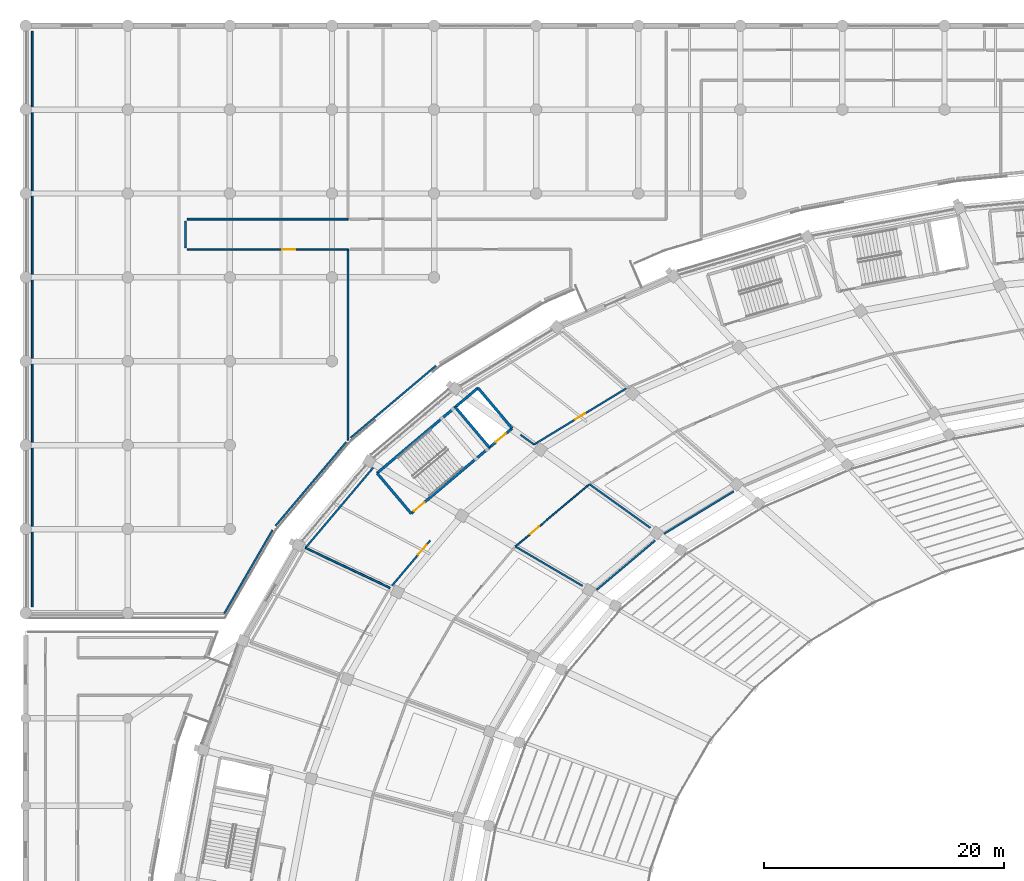
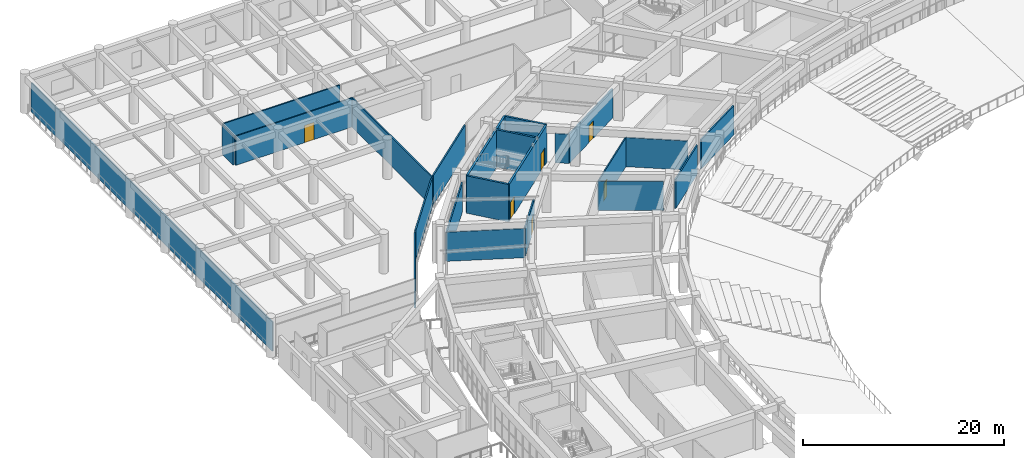
# One storey, part 109 of 152: 23 walls, 6 doors, 6 openings.
"""IFC4 building model written with IfcOpenShell, lengths in metres."""

from ifc_helpers import new_model, si_unit, direction, frame, frame_2d, origin, place, context, subcontext, project, spatial, rectangle, extrude, material, layer, layer_set, type_object, element, fill, save


model = new_model("IFC4")

# Units and contexts
model_context = context("Model", 3, precision=1e-05, world=origin(), true_north=direction((0.0, 1.0)))
body_context = subcontext(model_context, "Body", "Model", "MODEL_VIEW")
ifc_project = project(units=[si_unit("LENGTHUNIT", "METRE"), si_unit("AREAUNIT", "SQUARE_METRE"), si_unit("VOLUMEUNIT", "CUBIC_METRE"), si_unit("PLANEANGLEUNIT", "RADIAN"), si_unit("MASSUNIT", "GRAM", prefix="KILO")], contexts=[model_context])

# Site, building, storey
site_placement = place(None, origin())
site = spatial("IfcSite", under=ifc_project, at=site_placement, CompositionType="ELEMENT")
building_placement = place(site_placement, origin())
building = spatial("IfcBuilding", under=site, at=building_placement, Name="Mphavela Belvedere Stadium", CompositionType="ELEMENT")
storey_placement = place(building_placement, frame((0.0, 0.0, 5.39990234375)))
storey = spatial("IfcBuildingStorey", under=building, at=storey_placement, Name="L01", CompositionType="ELEMENT", Elevation=5.39990234375)

# Walls
ifc_material_1 = material(Name="Concrete C40/50", Category="concrete")
ifc_layer_1 = layer(ifc_material_1, 0.219970703125)
ifc_layer_set_1 = layer_set([ifc_layer_1], Name="Concrete C40/50")
wall_type_1 = type_object("IfcWallType", Name="WAL-CORE-SHEAR-220", PredefinedType="SHEAR", material=ifc_layer_set_1)
wall_1_placement = place(storey_placement, frame((29.318603515625, 136.666015625, 0.0), z_axis=(0.0, 0.0, 1.0), x_axis=(0.764247804305, 0.644922703598, 0.0)))
element("IfcWall", 1, at=wall_1_placement, inside=storey, type_object=wall_type_1, Name="Core C05 shear wall L01 rear", PredefinedType="SHEAR", context=body_context, shape_type="SweptSolid", body=[
    extrude(rectangle(XDim=11.019775390625, YDim=0.219970703125, at=frame_2d((5.509765625, 0.0))), origin(), (0.0, 0.0, 1.0), 4.550048828125),
])
wall_2_placement = place(storey_placement, frame((32.16259765625, 133.295654296875, 0.0), z_axis=(0.0, 0.0, 1.0), x_axis=(-0.644904288042, 0.764263344185, 0.0)))
element("IfcWall", 2, at=wall_2_placement, inside=storey, type_object=wall_type_1, Name="Core C05 shear wall L01 left", PredefinedType="SHEAR", context=body_context, shape_type="SweptSolid", body=[
    extrude(rectangle(XDim=4.409912109375, YDim=0.219970703125, at=frame_2d((2.205078125, 0.0))), origin(), (0.0, 0.0, 1.0), 4.550048828125),
])
wall_3_placement = place(storey_placement, frame((40.584716796875, 140.402587890625, 0.0), z_axis=(0.0, 0.0, 1.0), x_axis=(-0.644936622785, 0.764236058159, 0.0)))
element("IfcWall", 3, at=wall_3_placement, inside=storey, type_object=wall_type_1, Name="Core C05 shear wall L01 right", PredefinedType="SHEAR", context=body_context, shape_type="SweptSolid", body=[
    extrude(rectangle(XDim=4.41015625, YDim=0.219970703125, at=frame_2d((2.205078125, 0.0))), origin(), (0.0, 0.0, 1.0), 4.550048828125),
])

# Wall, openings, doors
wall_4_placement = place(storey_placement, frame((32.16259765625, 133.295654296875, 0.0), z_axis=(0.0, 0.0, 1.0), x_axis=(0.764257018762, 0.644911784102, 0.0)))
wall_4 = element("IfcWall", 4, at=wall_4_placement, inside=storey, type_object=wall_type_1, Name="Core C05 shear wall L01 front", PredefinedType="SHEAR", context=body_context, shape_type="SweptSolid", body=[
    extrude(rectangle(XDim=11.02001953125, YDim=0.219970703125, at=frame_2d((5.510009765625, 0.0))), origin(), (0.0, 0.0, 1.0), 4.550048828125),
])
opening_1_placement = place(wall_4_placement, frame((0.300048828125, 0.0, 0.0)))
opening_1 = element("IfcOpeningElement", 5, at=opening_1_placement, cuts=wall_4, Name="Opening SD-022", PredefinedType="OPENING", context=body_context, shape_type="SweptSolid", body=[
    extrude(rectangle(XDim=1.14990234375, YDim=2.14990234375, at=frame_2d((0.574951171875, 1.074951171875))), frame((0.0, 0.1201171875, 0.0), z_axis=(0.0, -1.0, 0.0), x_axis=(1.0, 0.0, 0.0)), (0.0, 0.0, 1.0), 0.239990234375),
])
opening_2_placement = place(wall_4_placement, frame((9.22998046875, 0.0, 0.0)))
opening_2 = element("IfcOpeningElement", 6, at=opening_2_placement, cuts=wall_4, Name="Opening LD-022", PredefinedType="OPENING", context=body_context, shape_type="SweptSolid", body=[
    extrude(rectangle(XDim=1.10009765625, YDim=2.14990234375, at=frame_2d((0.550048828125, 1.074951171875))), frame((0.0, 0.1201171875, 0.0), z_axis=(0.0, -1.0, 0.0), x_axis=(1.0, 0.0, 0.0)), (0.0, 0.0, 1.0), 0.239990234375),
])
ifc_material_2 = material(Name="Stainless steel center-parting lift landing door", Category="steel")
door_type_1 = type_object("IfcDoorType", Name="DR-LIFT-SLIDE-1100", OperationType="NOTDEFINED", PredefinedType="DOOR", material=ifc_material_2)
door_1_placement = place(opening_2_placement, origin())
door_1 = element("IfcDoor", 7, at=door_1_placement, inside=storey, type_object=door_type_1, Name="Lift landing sliding door PL02 L01", OperationType="DOUBLE_DOOR_SLIDING", OverallHeight=2.14990234375, OverallWidth=1.10009765625, PredefinedType="DOOR", context=body_context, shape_type="SweptSolid", body=[
    extrude(rectangle(XDim=1.10009765625, YDim=2.14990234375, at=frame_2d((0.550048828125, 1.074951171875))), frame((0.0, 0.02490234375, 0.0), z_axis=(0.0, -1.0, 0.0), x_axis=(1.0, 0.0, 0.0)), (0.0, 0.0, 1.0), 0.050048828125),
])
fill(opening_2, door_1)
ifc_material_3 = material(Name="Steel acoustic fire-resisting stair doorset", Category="steel")
door_type_2 = type_object("IfcDoorType", Name="DR-STAIR-FIRE-1150", OperationType="NOTDEFINED", PredefinedType="DOOR", material=ifc_material_3)
door_2_placement = place(opening_1_placement, origin())
door_2 = element("IfcDoor", 8, at=door_2_placement, inside=storey, type_object=door_type_2, Name="Escape stair fire door C05 L01", OperationType="SINGLE_SWING_RIGHT", OverallHeight=2.14990234375, OverallWidth=1.14990234375, PredefinedType="DOOR", context=body_context, shape_type="SweptSolid", body=[
    extrude(rectangle(XDim=1.14990234375, YDim=2.14990234375, at=frame_2d((0.574951171875, 1.074951171875))), frame((0.0, 0.02490234375, 0.0), z_axis=(0.0, -1.0, 0.0), x_axis=(1.0, 0.0, 0.0)), (0.0, 0.0, 1.0), 0.050048828125),
])
fill(opening_1, door_2)

# Wall
wall_5_placement = place(storey_placement, frame((38.689208984375, 138.80322265625, 0.0), z_axis=(0.0, 0.0, 1.0), x_axis=(-0.644904288042, 0.764263344185, 0.0)))
element("IfcWall", 9, at=wall_5_placement, inside=storey, type_object=wall_type_1, Name="Core C05 shear wall L01 div", PredefinedType="SHEAR", context=body_context, shape_type="SweptSolid", body=[
    extrude(rectangle(XDim=4.409912109375, YDim=0.219970703125, at=frame_2d((2.205078125, 0.0))), origin(), (0.0, 0.0, 1.0), 4.550048828125),
])

# Wall, opening, door
ifc_material_4 = material(Name="Moisture-resistant sanitary partition assembly")
ifc_layer_2 = layer(ifc_material_4, 0.125)
ifc_layer_set_2 = layer_set([ifc_layer_2], Name="Moisture-resistant sanitary partition assembly")
wall_type_2 = type_object("IfcWallType", Name="WAL-PART-125", PredefinedType="PARTITIONING", material=ifc_layer_set_2)
wall_6_placement = place(storey_placement, frame((40.866943359375, 130.539306640625, 0.0), z_axis=(0.0, 0.0, 1.0), x_axis=(0.764249122867, 0.644921141068, 0.0)))
wall_6 = element("IfcWall", 10, at=wall_6_placement, inside=storey, type_object=wall_type_2, Name="Room L01-81 corridor partition", PredefinedType="PARTITIONING", context=body_context, shape_type="SweptSolid", body=[
    extrude(rectangle(XDim=7.989501953125, YDim=0.125, at=frame_2d((3.99462890625, 0.0))), origin(), (0.0, 0.0, 1.0), 3.550048828125),
])
opening_3_placement = place(wall_6_placement, frame((1.593994140625, 0.0, 0.0)))
opening_3 = element("IfcOpeningElement", 11, at=opening_3_placement, cuts=wall_6, Name="Opening ID-111", PredefinedType="OPENING", context=body_context, shape_type="SweptSolid", body=[
    extrude(rectangle(XDim=0.97998046875, YDim=2.10009765625, at=frame_2d((0.489990234375, 1.050048828125))), frame((0.0, 0.072509765625, 0.0), z_axis=(0.0, -1.0, 0.0), x_axis=(1.0, 0.0, 0.0)), (0.0, 0.0, 1.0), 0.14501953125),
])
ifc_material_5 = material(Name="Hardwood acoustic timber doorset", Category="wood")
door_type_3 = type_object("IfcDoorType", Name="DR-INT-03", OperationType="NOTDEFINED", PredefinedType="DOOR", material=ifc_material_5)
door_3_placement = place(opening_3_placement, origin())
door_3 = element("IfcDoor", 12, at=door_3_placement, inside=storey, type_object=door_type_3, Name="Room L01-81 entrance door ID-111", OperationType="SINGLE_SWING_LEFT", OverallHeight=2.10009765625, OverallWidth=0.97998046875, PredefinedType="DOOR", context=body_context, shape_type="SweptSolid", body=[
    extrude(rectangle(XDim=0.97998046875, YDim=2.10009765625, at=frame_2d((0.489990234375, 1.050048828125))), frame((0.0, 0.02490234375, 0.0), z_axis=(0.0, -1.0, 0.0), x_axis=(1.0, 0.0, 0.0)), (0.0, 0.0, 1.0), 0.050048828125),
])
fill(opening_3, door_3)

wall_7_placement = place(storey_placement, frame((13.46875, 155.343017578125, 0.0), z_axis=(0.0, 0.0, 1.0), x_axis=(0.99999997621, -0.00021812629, 0.0)))
wall_7 = element("IfcWall", 13, at=wall_7_placement, inside=storey, type_object=wall_type_2, Name="Room L01-174 corridor partition", PredefinedType="PARTITIONING", context=body_context, shape_type="SweptSolid", body=[
    extrude(rectangle(XDim=13.43115234375, YDim=0.125, at=frame_2d((6.715576171875, 0.0))), origin(), (0.0, 0.0, 1.0), 3.550048828125),
])
opening_4_placement = place(wall_7_placement, frame((7.919189453125, 0.0, 0.0)))
opening_4 = element("IfcOpeningElement", 14, at=opening_4_placement, cuts=wall_7, Name="Opening ID-438", PredefinedType="OPENING", context=body_context, shape_type="SweptSolid", body=[
    extrude(rectangle(XDim=1.10009765625, YDim=2.10009765625, at=frame_2d((0.550048828125, 1.050048828125))), frame((0.0, 0.072509765625, 0.0), z_axis=(0.0, -1.0, 0.0), x_axis=(1.0, 0.0, 0.0)), (0.0, 0.0, 1.0), 0.14501953125),
])
ifc_material_6 = material(Name="Hardwood acoustic timber doorset", Category="wood")
door_type_4 = type_object("IfcDoorType", Name="DR-INT-06", OperationType="NOTDEFINED", PredefinedType="DOOR", material=ifc_material_6)
door_4_placement = place(opening_4_placement, origin())
door_4 = element("IfcDoor", 15, at=door_4_placement, inside=storey, type_object=door_type_4, Name="Room L01-174 entrance door ID-438", OperationType="SINGLE_SWING_RIGHT", OverallHeight=2.10009765625, OverallWidth=1.10009765625, PredefinedType="DOOR", context=body_context, shape_type="SweptSolid", body=[
    extrude(rectangle(XDim=1.10009765625, YDim=2.10009765625, at=frame_2d((0.550048828125, 1.050048828125))), frame((0.0, 0.02490234375, 0.0), z_axis=(0.0, -1.0, 0.0), x_axis=(1.0, 0.0, 0.0)), (0.0, 0.0, 1.0), 0.050048828125),
])
fill(opening_4, door_4)

ifc_material_7 = material(Name="Acoustic gypsum stud partition assembly")
ifc_layer_3 = layer(ifc_material_7, 0.14990234375)
ifc_layer_set_3 = layer_set([ifc_layer_3], Name="Acoustic gypsum stud partition assembly")
wall_type_3 = type_object("IfcWallType", Name="WAL-PART-150", PredefinedType="PARTITIONING", material=ifc_layer_set_3)
wall_8_placement = place(storey_placement, frame((50.10546875, 143.731201171875, 0.0), z_axis=(0.0, 0.0, 1.0), x_axis=(-0.854321649351, -0.519744667554, 0.0)))
wall_8 = element("IfcWall", 16, at=wall_8_placement, inside=storey, type_object=wall_type_3, Name="Room L01-79 corridor partition", PredefinedType="PARTITIONING", context=body_context, shape_type="SweptSolid", body=[
    extrude(rectangle(XDim=8.99853515625, YDim=0.14990234375, at=frame_2d((4.499267578125, 0.0))), origin(), (0.0, 0.0, 1.0), 3.550048828125),
])
opening_5_placement = place(wall_8_placement, frame((4.029296875, 0.0, 0.0)))
opening_5 = element("IfcOpeningElement", 17, at=opening_5_placement, cuts=wall_8, Name="Opening ID-110", PredefinedType="OPENING", context=body_context, shape_type="SweptSolid", body=[
    extrude(rectangle(XDim=0.93994140625, YDim=2.10009765625, at=frame_2d((0.469970703125, 1.050048828125))), frame((0.0, 0.0849609375, 0.0), z_axis=(0.0, -1.0, 0.0), x_axis=(1.0, 0.0, 0.0)), (0.0, 0.0, 1.0), 0.169921875),
])
ifc_material_8 = material(Name="Hardwood acoustic timber doorset", Category="wood")
door_type_5 = type_object("IfcDoorType", Name="DR-INT-02", OperationType="NOTDEFINED", PredefinedType="DOOR", material=ifc_material_8)
door_5_placement = place(opening_5_placement, origin())
door_5 = element("IfcDoor", 18, at=door_5_placement, inside=storey, type_object=door_type_5, Name="Room L01-79 entrance door ID-110", OperationType="SINGLE_SWING_RIGHT", OverallHeight=2.10009765625, OverallWidth=0.93994140625, PredefinedType="DOOR", context=body_context, shape_type="SweptSolid", body=[
    extrude(rectangle(XDim=0.93994140625, YDim=2.10009765625, at=frame_2d((0.469970703125, 1.050048828125))), frame((0.0, 0.02490234375, 0.0), z_axis=(0.0, -1.0, 0.0), x_axis=(1.0, 0.0, 0.0)), (0.0, 0.0, 1.0), 0.050048828125),
])
fill(opening_5, door_5)

wall_9_placement = place(storey_placement, frame((33.747802734375, 131.044921875, 0.0), z_axis=(0.0, 0.0, 1.0), x_axis=(-0.645189146842, -0.764022882378, 0.0)))
wall_9 = element("IfcWall", 19, at=wall_9_placement, inside=storey, type_object=wall_type_3, Name="Room L01-84 corridor partition", PredefinedType="PARTITIONING", context=body_context, shape_type="SweptSolid", body=[
    extrude(rectangle(XDim=4.943115234375, YDim=0.14990234375, at=frame_2d((2.4716796875, 0.0))), origin(), (0.0, 0.0, 1.0), 3.550048828125),
])
opening_6_placement = place(wall_9_placement, frame((0.482177734375, 0.0, 0.0)))
opening_6 = element("IfcOpeningElement", 20, at=opening_6_placement, cuts=wall_9, Name="Opening ID-113", PredefinedType="OPENING", context=body_context, shape_type="SweptSolid", body=[
    extrude(rectangle(XDim=1.06005859375, YDim=2.10009765625, at=frame_2d((0.530029296875, 1.050048828125))), frame((0.0, 0.0849609375, 0.0), z_axis=(0.0, -1.0, 0.0), x_axis=(1.0, 0.0, 0.0)), (0.0, 0.0, 1.0), 0.169921875),
])
ifc_material_9 = material(Name="Hardwood acoustic timber doorset", Category="wood")
door_type_6 = type_object("IfcDoorType", Name="DR-INT-05", OperationType="NOTDEFINED", PredefinedType="DOOR", material=ifc_material_9)
door_6_placement = place(opening_6_placement, origin())
door_6 = element("IfcDoor", 21, at=door_6_placement, inside=storey, type_object=door_type_6, Name="Room L01-84 entrance door ID-113", OperationType="SINGLE_SWING_LEFT", OverallHeight=2.10009765625, OverallWidth=1.06005859375, PredefinedType="DOOR", context=body_context, shape_type="SweptSolid", body=[
    extrude(rectangle(XDim=1.06005859375, YDim=2.10009765625, at=frame_2d((0.530029296875, 1.050048828125))), frame((0.0, 0.02490234375, 0.0), z_axis=(0.0, -1.0, 0.0), x_axis=(1.0, 0.0, 0.0)), (0.0, 0.0, 1.0), 0.050048828125),
])
fill(opening_6, door_6)

# Walls
wall_10_placement = place(storey_placement, frame((52.126220703125, 132.097900390625, 0.0), z_axis=(0.0, 0.0, 1.0), x_axis=(-0.812877822405, 0.582434241646, 0.0)))
element("IfcWall", 22, at=wall_10_placement, inside=storey, type_object=wall_type_3, Name="Room divider partition L01-0191", PredefinedType="PARTITIONING", context=body_context, shape_type="SweptSolid", body=[
    extrude(rectangle(XDim=6.252685546875, YDim=0.14990234375, at=frame_2d((3.12646484375, 0.0))), origin(), (0.0, 0.0, 1.0), 3.550048828125),
])
wall_11_placement = place(storey_placement, frame((59.081787109375, 135.143310546875, 0.0), z_axis=(0.0, 0.0, 1.0), x_axis=(-0.854334410981, -0.519723690257, 0.0)))
element("IfcWall", 23, at=wall_11_placement, inside=storey, type_object=wall_type_3, Name="Room divider partition L01-0192", PredefinedType="PARTITIONING", context=body_context, shape_type="SweptSolid", body=[
    extrude(rectangle(XDim=6.800048828125, YDim=0.14990234375, at=frame_2d((3.39990234375, 0.0))), origin(), (0.0, 0.0, 1.0), 3.550048828125),
])
wall_12_placement = place(storey_placement, frame((42.417724609375, 139.05419921875, 0.0), z_axis=(0.0, 0.0, 1.0), x_axis=(-0.812925279681, 0.582368001916, 0.0)))
element("IfcWall", 24, at=wall_12_placement, inside=storey, type_object=wall_type_3, Name="Room divider partition L01-0194", PredefinedType="PARTITIONING", context=body_context, shape_type="SweptSolid", body=[
    extrude(rectangle(XDim=1.389404296875, YDim=0.14990234375, at=frame_2d((0.69482421875, 0.0))), origin(), (0.0, 0.0, 1.0), 3.550048828125),
])
wall_13_placement = place(storey_placement, frame((52.525390625, 131.0439453125, 0.0), z_axis=(0.0, 0.0, 1.0), x_axis=(-0.764237453484, -0.644934969351, 0.0)))
element("IfcWall", 25, at=wall_13_placement, inside=storey, type_object=wall_type_3, Name="Room divider partition L01-0195", PredefinedType="PARTITIONING", context=body_context, shape_type="SweptSolid", body=[
    extrude(rectangle(XDim=6.403076171875, YDim=0.14990234375, at=frame_2d((3.20166015625, 0.0))), origin(), (0.0, 0.0, 1.0), 3.550048828125),
])
wall_14_placement = place(storey_placement, frame((46.46826171875, 127.2529296875, 0.0), z_axis=(0.0, 0.0, 1.0), x_axis=(-0.862506747386, 0.506045561895, 0.0)))
element("IfcWall", 26, at=wall_14_placement, inside=storey, type_object=wall_type_3, Name="Room divider partition L01-0196", PredefinedType="PARTITIONING", context=body_context, shape_type="SweptSolid", body=[
    extrude(rectangle(XDim=6.494140625, YDim=0.14990234375, at=frame_2d((3.2470703125, 0.0))), origin(), (0.0, 0.0, 1.0), 3.550048828125),
])
wall_15_placement = place(storey_placement, frame((30.40478515625, 127.0859375, 0.0), z_axis=(0.0, 0.0, 1.0), x_axis=(-0.903857436248, 0.427833770218, 0.0)))
element("IfcWall", 27, at=wall_15_placement, inside=storey, type_object=wall_type_3, Name="Room divider partition L01-0199", PredefinedType="PARTITIONING", context=body_context, shape_type="SweptSolid", body=[
    extrude(rectangle(XDim=7.81201171875, YDim=0.14990234375, at=frame_2d((3.906005859375, 0.0))), origin(), (0.0, 0.0, 1.0), 3.550048828125),
])
wall_16_placement = place(storey_placement, frame((23.34375, 130.42822265625, 0.0), z_axis=(0.0, 0.0, 1.0), x_axis=(0.645169991826, 0.764039057671, 0.0)))
element("IfcWall", 28, at=wall_16_placement, inside=storey, type_object=wall_type_3, Name="Room divider partition L01-0200", PredefinedType="PARTITIONING", context=body_context, shape_type="SweptSolid", body=[
    extrude(rectangle(XDim=8.776123046875, YDim=0.14990234375, at=frame_2d((4.38818359375, 0.0))), origin(), (0.0, 0.0, 1.0), 3.550048828125),
])
wall_17_placement = place(storey_placement, frame((26.751708984375, 139.266357421875, 0.0), z_axis=(0.0, 0.0, 1.0), x_axis=(-0.645180125691, -0.764030500316, 0.0)))
element("IfcWall", 29, at=wall_17_placement, inside=storey, type_object=wall_type_3, Name="Room divider partition L01-0942", PredefinedType="PARTITIONING", context=body_context, shape_type="SweptSolid", body=[
    extrude(rectangle(XDim=9.1513671875, YDim=0.14990234375, at=frame_2d((4.57568359375, 0.0))), origin(), (0.0, 0.0, 1.0), 3.550048828125),
])
wall_18_placement = place(storey_placement, frame((20.59326171875, 131.912841796875, 0.0), z_axis=(0.0, 0.0, 1.0), x_axis=(-0.500545605998, -0.865710168773, 0.0)))
element("IfcWall", 30, at=wall_18_placement, inside=storey, type_object=wall_type_3, Name="Room divider partition L01-0943", PredefinedType="PARTITIONING", context=body_context, shape_type="SweptSolid", body=[
    extrude(rectangle(XDim=8.04296875, YDim=0.14990234375, at=frame_2d((4.021484375, 0.0))), origin(), (0.0, 0.0, 1.0), 3.550048828125),
])
wall_19_placement = place(storey_placement, frame((0.550048828125, 125.5, 0.0), z_axis=(0.0, 0.0, 1.0), x_axis=(0.0, 1.0, 0.0)))
element("IfcWall", 31, at=wall_19_placement, inside=storey, type_object=wall_type_3, Name="Room divider partition L01-0945", PredefinedType="PARTITIONING", context=body_context, shape_type="SweptSolid", body=[
    extrude(rectangle(XDim=48.050048828125, YDim=0.14990234375, at=frame_2d((24.02490234375, 0.0))), origin(), (0.0, 0.0, 1.0), 3.550048828125),
])
wall_20_placement = place(storey_placement, frame((26.89990234375, 157.860107421875, 0.0), z_axis=(0.0, 0.0, 1.0), x_axis=(-1.0, 0.0, 0.0)))
element("IfcWall", 32, at=wall_20_placement, inside=storey, type_object=wall_type_3, Name="Room divider partition L01-0947", PredefinedType="PARTITIONING", context=body_context, shape_type="SweptSolid", body=[
    extrude(rectangle(XDim=13.39990234375, YDim=0.14990234375, at=frame_2d((6.699951171875, 0.0))), origin(), (0.0, 0.0, 1.0), 3.550048828125),
])
wall_21_placement = place(storey_placement, frame((13.340087890625, 157.699951171875, 0.0), z_axis=(0.0, 0.0, 1.0), x_axis=(0.000330578494, -0.999999945359, 0.0)))
element("IfcWall", 33, at=wall_21_placement, inside=storey, type_object=wall_type_3, Name="Room divider partition L01-0948", PredefinedType="PARTITIONING", context=body_context, shape_type="SweptSolid", body=[
    extrude(rectangle(XDim=2.215576171875, YDim=0.14990234375, at=frame_2d((1.10791015625, 0.0))), origin(), (0.0, 0.0, 1.0), 3.550048828125),
])
wall_22_placement = place(storey_placement, frame((26.89990234375, 155.340087890625, 0.0), z_axis=(0.0, 0.0, 1.0), x_axis=(0.0, -1.0, 0.0)))
element("IfcWall", 34, at=wall_22_placement, inside=storey, type_object=wall_type_3, Name="Room divider partition L01-0949", PredefinedType="PARTITIONING", context=body_context, shape_type="SweptSolid", body=[
    extrude(rectangle(XDim=15.9130859375, YDim=0.14990234375, at=frame_2d((7.95654296875, 0.0))), origin(), (0.0, 0.0, 1.0), 3.550048828125),
])
wall_23_placement = place(storey_placement, frame((34.232177734375, 145.625244140625, 0.0), z_axis=(0.0, 0.0, 1.0), x_axis=(-0.764245949545, -0.644924901523, 0.0)))
element("IfcWall", 35, at=wall_23_placement, inside=storey, type_object=wall_type_3, Name="Room divider partition L01-0951", PredefinedType="PARTITIONING", context=body_context, shape_type="SweptSolid", body=[
    extrude(rectangle(XDim=9.332275390625, YDim=0.14990234375, at=frame_2d((4.666015625, 0.0))), origin(), (0.0, 0.0, 1.0), 3.550048828125),
])

save(model, "model.ifc")
